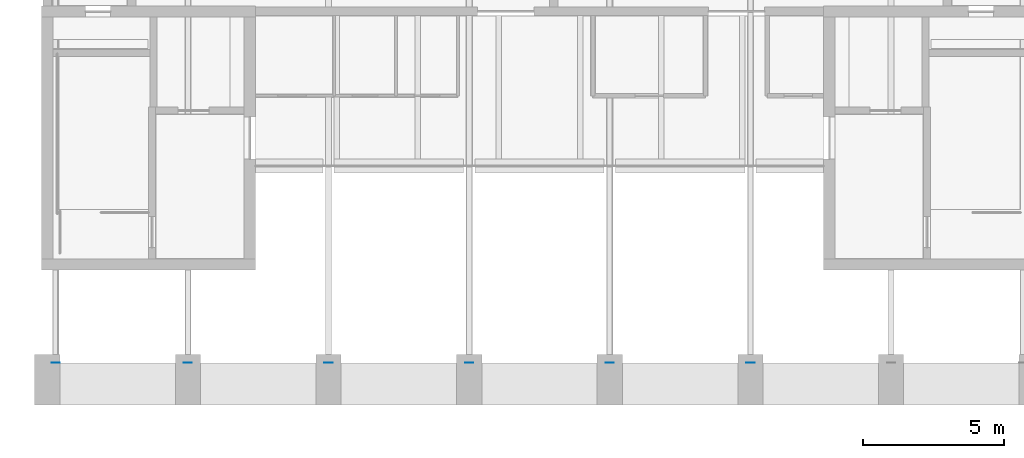
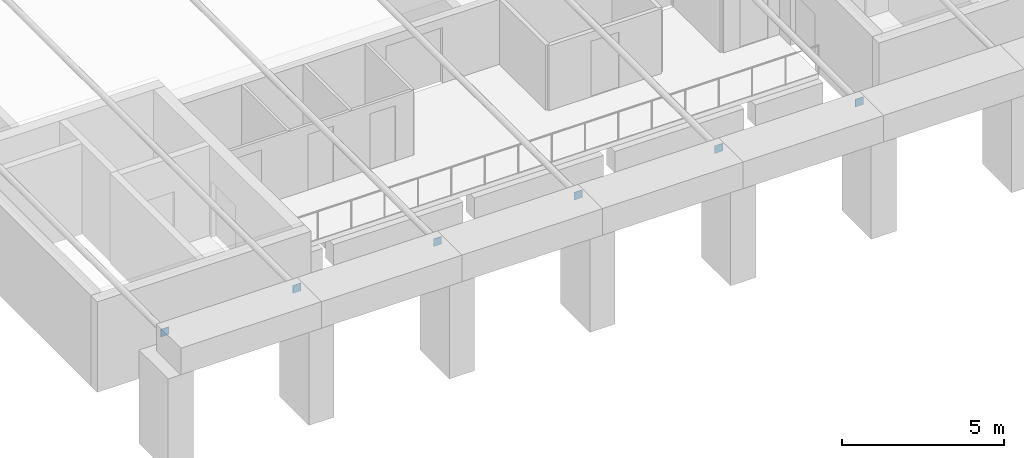
# One storey, part 62 of 92: 6 discrete accessories.
"""IFC4 building model written with IfcOpenShell, lengths in metres."""

import ifcopenshell
import ifcopenshell.guid

model = None  # the IFC model being written
_history = None  # IfcOwnerHistory: only IFC2X3 demands one
_inside = {}  # id of a spatial element -> (the spatial element, [elements in it])
_under = {}  # id of a project, library or spatial element -> (it, [spatial elements below it])
_declared = {}  # id of a project -> (the project, [libraries it declares])
_typed = {}  # id of a type object -> (the type object, [elements of that type])
_made_of = {}  # id of a material, layer set ... -> (it, [elements and type objects made of it])


def new_model(schema):
    """Start an empty IFC model of exactly this schema.

    Asked for "IFC4X3", IfcOpenShell would pick the latest addendum, in which some entities
    have other attributes; the version numbers below select the first issue.
    IFC2X3 requires an IfcOwnerHistory on every rooted entity: one is made here for all.
    """
    global model, _history
    if schema == "IFC4X3":
        model = ifcopenshell.file(schema_version=(4, 3, 0, 0))
    else:
        model = ifcopenshell.file(schema=schema)
    _inside.clear()
    _under.clear()
    _declared.clear()
    _typed.clear()
    _made_of.clear()
    _history = None
    if model.schema == "IFC2X3":
        org = make("IfcOrganization", Name="unknown")
        user = make(
            "IfcPersonAndOrganization",
            ThePerson=make("IfcPerson", FamilyName="unknown"),
            TheOrganization=org,
        )
        app = make(
            "IfcApplication",
            ApplicationDeveloper=org,
            Version="unknown",
            ApplicationFullName="unknown",
            ApplicationIdentifier="unknown",
        )
        _history = make(
            "IfcOwnerHistory",
            OwningUser=user,
            OwningApplication=app,
            ChangeAction="ADDED",
            CreationDate=0,
        )
    return model


def make(cls, **values):
    """One entity of the class cls with the attributes given. An attribute that is None is left unset."""
    return model.create_entity(
        cls, **{name: value for name, value in values.items() if value is not None}
    )


def rooted(cls, **values):
    """An entity with a GlobalId (a new one), such as an element, a storey or a relation."""
    return make(cls, GlobalId=ifcopenshell.guid.new(), OwnerHistory=_history, **values)


def si_unit(unit_type, name, prefix=None):
    """IfcSIUnit, for example si_unit("LENGTHUNIT", "METRE", prefix="MILLI")."""
    return make("IfcSIUnit", UnitType=unit_type, Prefix=prefix, Name=name)


def assignment(units):
    """IfcUnitAssignment: the units of a project."""
    return None if units is None else make("IfcUnitAssignment", Units=units)


def point(xyz):
    """IfcCartesianPoint."""
    return None if xyz is None else make("IfcCartesianPoint", Coordinates=xyz)


def direction(xyz):
    """IfcDirection."""
    return None if xyz is None else make("IfcDirection", DirectionRatios=xyz)


def frame(location, z_axis=None, x_axis=None):
    """IfcAxis2Placement3D, a coordinate frame: its origin and axes. An axis left out is left unset."""
    return make(
        "IfcAxis2Placement3D",
        Location=point(location),
        Axis=direction(z_axis),
        RefDirection=direction(x_axis),
    )


def origin():
    """The frame at (0, 0, 0) with its axes left unset."""
    return frame((0.0, 0.0, 0.0))


def place(relative_to, where):
    """IfcLocalPlacement: puts the frame where relative to a parent placement (None: the world)."""
    return make(
        "IfcLocalPlacement", PlacementRelTo=relative_to, RelativePlacement=where
    )


def context(
    kind, dimensions, precision=None, world=None, true_north=None, identifier=None
):
    """IfcGeometricRepresentationContext, for example the 3D "Model" context."""
    return make(
        "IfcGeometricRepresentationContext",
        ContextIdentifier=identifier,
        ContextType=kind,
        CoordinateSpaceDimension=dimensions,
        Precision=precision,
        WorldCoordinateSystem=world,
        TrueNorth=true_north,
    )


def subcontext(parent, identifier, kind, view, scale=None):
    """IfcGeometricRepresentationSubContext, for example "Body" below "Model"."""
    return make(
        "IfcGeometricRepresentationSubContext",
        ContextIdentifier=identifier,
        ContextType=kind,
        ParentContext=parent,
        TargetScale=scale,
        TargetView=view,
    )


def project(units=None, contexts=None):
    """IfcProject with its units and contexts."""
    return rooted(
        "IfcProject",
        Name="project",
        RepresentationContexts=contexts,
        UnitsInContext=assignment(units),
    )


def spatial(cls, under=None, at=None, **own):
    """A site, building, storey or space (cls), placed at a placement, below another one or the project."""
    s = rooted(cls, ObjectPlacement=at, **own)
    if under is not None:
        _under.setdefault(under.id(), (under, []))[1].append(s)
    return s


def polyline(points):
    """IfcPolyline through the points."""
    return make("IfcPolyline", Points=[point(p) for p in points])


def outline(outer, holes=None, kind="AREA"):
    """IfcArbitraryClosedProfileDef: a profile drawn as a closed curve; with holes, ...WithVoids."""
    if holes is None:
        return make("IfcArbitraryClosedProfileDef", ProfileType=kind, OuterCurve=outer)
    return make(
        "IfcArbitraryProfileDefWithVoids",
        ProfileType=kind,
        OuterCurve=outer,
        InnerCurves=holes,
    )


def extrude(swept, where, along, depth):
    """IfcExtrudedAreaSolid: the profile swept, set in the frame where, extruded along a direction by depth."""
    return make(
        "IfcExtrudedAreaSolid",
        SweptArea=swept,
        Position=where,
        ExtrudedDirection=direction(along),
        Depth=depth,
    )


def shape(context_of_items, identifier, shape_type, items):
    """IfcShapeRepresentation: the items that make up one representation, for example the "Body"."""
    return make(
        "IfcShapeRepresentation",
        ContextOfItems=context_of_items,
        RepresentationIdentifier=identifier,
        RepresentationType=shape_type,
        Items=items,
    )


def source(mapping_origin, context_of_items, identifier, shape_type, items):
    """IfcRepresentationMap: a shape defined once, which mapped items show again and again."""
    return make(
        "IfcRepresentationMap",
        MappingOrigin=mapping_origin,
        MappedRepresentation=shape(context_of_items, identifier, shape_type, items),
    )


def transform(
    local_origin,
    x_axis=None,
    y_axis=None,
    z_axis=None,
    scale=None,
    scale2=None,
    scale3=None,
    uniform=True,
):
    """IfcCartesianTransformationOperator3D, or its non-uniform kind. x_axis, y_axis, z_axis: its Axis1, 2, 3."""
    if uniform:
        return make(
            "IfcCartesianTransformationOperator3D",
            Axis1=direction(x_axis),
            Axis2=direction(y_axis),
            LocalOrigin=point(local_origin),
            Scale=scale,
            Axis3=direction(z_axis),
        )
    return make(
        "IfcCartesianTransformationOperator3DnonUniform",
        Axis1=direction(x_axis),
        Axis2=direction(y_axis),
        LocalOrigin=point(local_origin),
        Scale=scale,
        Axis3=direction(z_axis),
        Scale2=scale2,
        Scale3=scale3,
    )


def mapped(mapping_source, mapping_target):
    """IfcMappedItem: shows the shape of a source again, moved by a transform."""
    return make(
        "IfcMappedItem", MappingSource=mapping_source, MappingTarget=mapping_target
    )


def material(Name=None, Category=None):
    """IfcMaterial."""
    return make("IfcMaterial", Name=Name, Category=Category)


def layer(
    of_material, thickness, ventilated=None, Name=None, Category=None, Priority=None
):
    """IfcMaterialLayer: one layer of a wall or slab, of a material (None: an air gap)."""
    return make(
        "IfcMaterialLayer",
        Material=of_material,
        LayerThickness=thickness,
        IsVentilated=ventilated,
        Name=Name,
        Category=Category,
        Priority=Priority,
    )


def layer_set(layers, Name=None):
    """IfcMaterialLayerSet."""
    return make("IfcMaterialLayerSet", MaterialLayers=layers, LayerSetName=Name)


def made_of(thing, what):
    """Note that an element or type object is made of a material, layer set ...; save() writes the relation."""
    if what is not None:
        _made_of.setdefault(what.id(), (what, []))[1].append(thing)
    return thing


def type_object(cls, material=None, **own):
    """A type object (cls), such as IfcWallType, which elements share."""
    return made_of(rooted(cls, **own), material)


def element(
    cls,
    number,
    at=None,
    inside=None,
    cuts=None,
    type_object=None,
    material=None,
    context=None,
    identifier="Body",
    shape_type=None,
    held_by="IfcProductDefinitionShape",
    body=None,
    shapes=None,
    **own,
):
    """One element of the class cls, such as IfcWall. Its Tag is "e" and its number.

    at: its placement. inside: the storey or other place that contains it. cuts: it is an
    opening in that element (IfcRelVoidsElement). A single representation is given by context,
    identifier, shape_type and body (its items); several are given by shapes. held_by: the class
    of the entity that holds the representations. save() writes the other relations.
    """
    e = rooted(cls, Tag="e%d" % number, ObjectPlacement=at, **own)
    if body is not None:
        shapes = [shape(context, identifier, shape_type, body)]
    if shapes is not None:
        e.Representation = make(held_by, Representations=shapes)
    if inside is not None:
        _inside.setdefault(inside.id(), (inside, []))[1].append(e)
    if cuts is not None:
        rooted(
            "IfcRelVoidsElement", RelatingBuildingElement=cuts, RelatedOpeningElement=e
        )
    if type_object is not None:
        _typed.setdefault(type_object.id(), (type_object, []))[1].append(e)
    return made_of(e, material)


def aggregate(whole, parts):
    """IfcRelAggregates: a whole, such as a stair, and the parts it consists of."""
    return rooted("IfcRelAggregates", RelatingObject=whole, RelatedObjects=parts)


def save(model, path):
    """Write the relations noted so far, then the file.

    IfcRelAggregates (storeys below a building ...), IfcRelContainedInSpatialStructure (elements
    in a storey), IfcRelDefinesByType, IfcRelAssociatesMaterial and IfcRelDeclares: one each for
    every whole, place, type object, material and project.
    """
    for whole, parts in _under.values():
        aggregate(whole, parts)
    for where, things in _inside.values():
        rooted(
            "IfcRelContainedInSpatialStructure",
            RelatedElements=things,
            RelatingStructure=where,
        )
    for kind, things in _typed.values():
        rooted("IfcRelDefinesByType", RelatedObjects=things, RelatingType=kind)
    for what, things in _made_of.values():
        rooted("IfcRelAssociatesMaterial", RelatedObjects=things, RelatingMaterial=what)
    for by, libraries in _declared.values():
        rooted("IfcRelDeclares", RelatingContext=by, RelatedDefinitions=libraries)
    model.write(path)


model = new_model("IFC4")

# Units and contexts
model_context = context("Model", 3, precision=1e-05, world=origin(), true_north=direction((0.0, 1.0)))
body_context = subcontext(model_context, "Body", "Model", "MODEL_VIEW")
ifc_project = project(units=[si_unit("LENGTHUNIT", "METRE"), si_unit("AREAUNIT", "SQUARE_METRE"), si_unit("VOLUMEUNIT", "CUBIC_METRE"), si_unit("PLANEANGLEUNIT", "RADIAN"), si_unit("MASSUNIT", "GRAM", prefix="KILO")], contexts=[model_context])

# Site, building, storey
site_placement = place(None, origin())
site = spatial("IfcSite", under=ifc_project, at=site_placement, CompositionType="ELEMENT")
building_placement = place(site_placement, origin())
building = spatial("IfcBuilding", under=site, at=building_placement, Name="Merrow Basin Faculty of Sciences", CompositionType="ELEMENT")
storey_placement = place(building_placement, frame((0.0, 0.0, 4.5)))
storey = spatial("IfcBuildingStorey", under=building, at=storey_placement, Name="L01", CompositionType="ELEMENT", Elevation=4.5)

# Discrete accessories
ifc_material = material(Name="Steel ASTM A572 Gr 50", Category="steel")
ifc_layer = layer(ifc_material, 0.01611328125)
ifc_layer_set = layer_set([ifc_layer], Name="Steel end plate 289 x 289 x 16")
discrete_accessory_type = type_object("IfcDiscreteAccessoryType", Name="Steel end plate 289 x 289 x 16", PredefinedType="ANCHORPLATE", material=ifc_layer_set)
shared_shape = source(origin(), body_context, "Body", "SweptSolid", [
    extrude(outline(polyline([(0.0, 0.0), (0.2890625, 0.0), (0.2890625, 0.2890625), (0.0, 0.2890625), (0.0, 0.0)])), origin(), (0.0, 0.0, 1.0), 0.01611328125),
])
for number, where, z_axis, x_axis, name in (
    (1, (0.155029296875, 1.51611328125, 3.955078125), (0.0, -1.0, 0.0), (1.0, 0.0, 0.0), "End plate Tie A start"),
    (2, (4.85498046875, 1.51611328125, 3.955078125), (0.0, -1.0, 0.0), (1.0, 0.0, 0.0), "End plate Tie K start"),
    (3, (9.85498046875, 1.51611328125, 3.955078125), (0.0, -1.0, 0.0), (1.0, 0.0, 0.0), "End plate Tie L start"),
    (4, (14.85498046875, 1.51611328125, 3.955078125), (0.0, -1.0, 0.0), (1.0, 0.0, 0.0), "End plate Tie M start"),
    (5, (19.85498046875, 1.51611328125, 3.955078125), (0.0, -1.0, 0.0), (1.0, 0.0, 0.0), "End plate Tie N start"),
    (6, (24.85498046875, 1.51611328125, 3.955078125), (0.0, -1.0, 0.0), (1.0, 0.0, 0.0), "End plate Tie P start"),
):
    element("IfcDiscreteAccessory", number, at=place(storey_placement, frame(where, z_axis=z_axis, x_axis=x_axis)), inside=storey, type_object=discrete_accessory_type, Name=name, PredefinedType="ANCHORPLATE", context=body_context, shape_type="MappedRepresentation", body=[
        mapped(shared_shape, transform((0.0, 0.0, 0.0), scale=1.0)),
    ])

save(model, "model.ifc")
